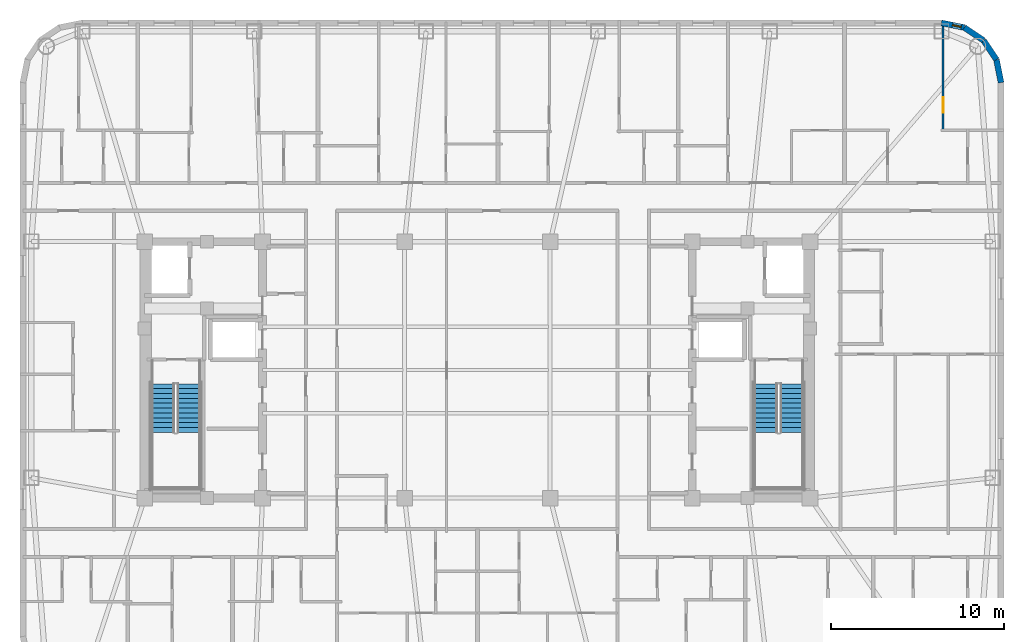
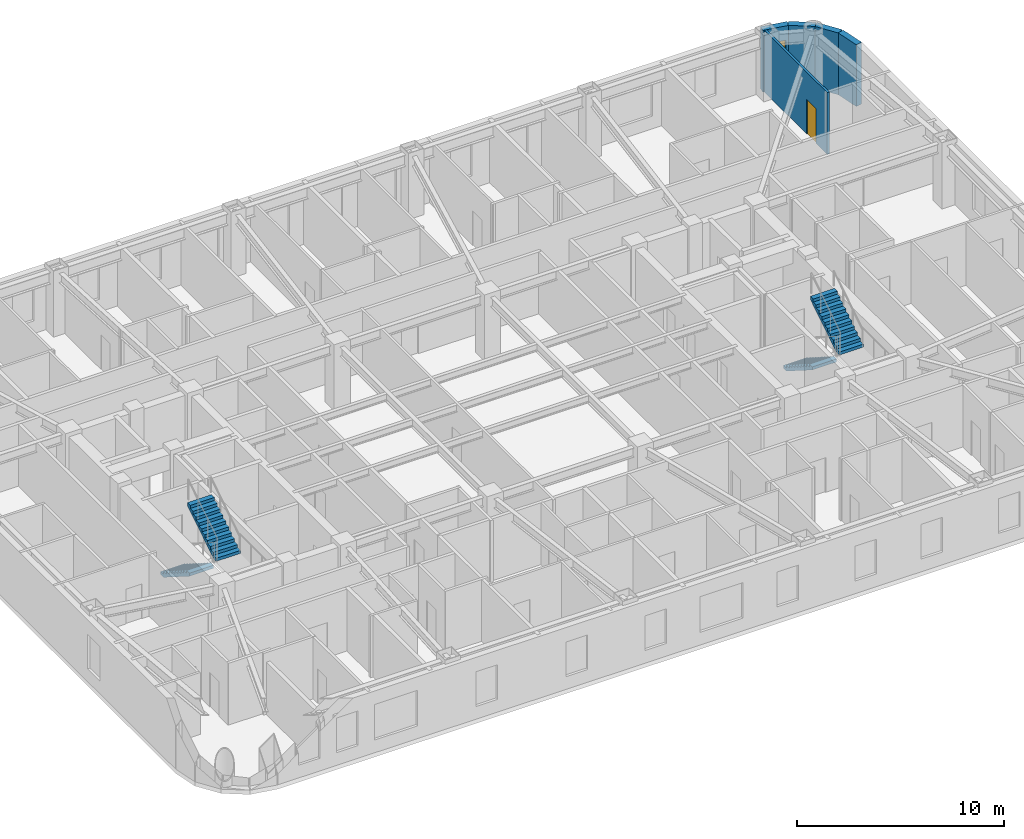
# One storey, part 9 of 11: 5 walls, 4 stair flights, 1 door, 1 window, 2 openings, 2 elements without a shape of their own.
"""IFC4 building model written with IfcOpenShell, lengths in metres."""

from ifc_helpers import new_model, si_unit, direction, frame, frame_2d, origin, place, context, subcontext, project, spatial, polyline, rectangle, outline, extrude, material, layer, layer_set, type_object, element, fill, aggregate, save


model = new_model("IFC4")

# Units and contexts
model_context = context("Model", 3, precision=1e-05, world=origin(), true_north=direction((0.0, 1.0)))
body_context = subcontext(model_context, "Body", "Model", "MODEL_VIEW")
ifc_project = project(units=[si_unit("LENGTHUNIT", "METRE"), si_unit("AREAUNIT", "SQUARE_METRE"), si_unit("VOLUMEUNIT", "CUBIC_METRE"), si_unit("PLANEANGLEUNIT", "RADIAN"), si_unit("MASSUNIT", "GRAM", prefix="KILO")], contexts=[model_context])

# Site, building, storey
site_placement = place(None, origin())
site = spatial("IfcSite", under=ifc_project, at=site_placement, CompositionType="ELEMENT")
building_placement = place(site_placement, origin())
building = spatial("IfcBuilding", under=site, at=building_placement, Name="Voryun Gate Residences", CompositionType="ELEMENT")
storey_placement = place(building_placement, frame((0.0, 0.0, 215.800048828125)))
storey = spatial("IfcBuildingStorey", under=building, at=storey_placement, Name="L53", CompositionType="ELEMENT", Elevation=215.800048828125)

# Wall, opening, window
ifc_material_1 = material(Name="Charcoal terracotta masonry", Category="masonry")
ifc_layer_1 = layer(ifc_material_1, 0.340087890625, Name="W_EXT_TERRACOTTA_340")
ifc_layer_set_1 = layer_set([ifc_layer_1], Name="Charcoal terracotta masonry")
wall_type_1 = type_object("IfcWallType", Name="W_EXT_TERRACOTTA_340", PredefinedType="ELEMENTEDWALL", material=ifc_layer_set_1)
wall_1_placement = place(storey_placement, frame((26.783203125, 20.030029296875, 0.0), z_axis=(0.0, 0.0, 1.0), x_axis=(0.980788153188, -0.195075878998, 0.0)))
wall_1 = element("IfcWall", 1, at=wall_1_placement, inside=storey, type_object=wall_type_1, Name="Exterior wall WEXT-L53-12", PredefinedType="ELEMENTEDWALL", context=body_context, shape_type="SweptSolid", body=[
    extrude(rectangle(XDim=1.354248046875, YDim=0.340087890625, at=frame_2d((0.67724609375, 0.0))), origin(), (0.0, 0.0, 1.0), 3.64990234375),
])
opening_1_placement = place(wall_1_placement, frame((0.656982421875, 0.0, 0.75)))
opening_1 = element("IfcOpeningElement", 2, at=opening_1_placement, cuts=wall_1, Name="Opening WN10", PredefinedType="OPENING", context=body_context, shape_type="SweptSolid", body=[
    extrude(rectangle(XDim=0.52001953125, YDim=2.050048828125, at=frame_2d((0.260009765625, 1.02490234375))), frame((0.0, 0.179931640625, 0.0), z_axis=(0.0, -1.0, 0.0), x_axis=(1.0, 0.0, 0.0)), (0.0, 0.0, 1.0), 0.360107421875),
])
ifc_material_2 = material(Name="Laminated low-E glass", Category="glass")
window_type = type_object("IfcWindowType", Name="WN_PAGODA_LANCET_520", PartitioningType="SINGLE_PANEL", PredefinedType="WINDOW", material=ifc_material_2)
window_placement = place(opening_1_placement, origin())
window = element("IfcWindow", 3, at=window_placement, inside=storey, type_object=window_type, Name="Window WN-L53-DWFIX-14", OverallHeight=2.050048828125, OverallWidth=0.52001953125, PartitioningType="SINGLE_PANEL", PredefinedType="WINDOW", context=body_context, shape_type="SweptSolid", body=[
    extrude(rectangle(XDim=0.52001953125, YDim=2.050048828125, at=frame_2d((0.260009765625, 1.02490234375))), frame((0.0, 0.030029296875, 0.0), z_axis=(0.0, -1.0, 0.0), x_axis=(1.0, 0.0, 0.0)), (0.0, 0.0, 1.0), 0.06005859375),
])
fill(opening_1, window)

# Walls
for number, where, z_axis, x_axis, name in (
    (4, (28.111328125, 19.765869140625, 0.0), (0.0, 0.0, 1.0), (0.831403586725, -0.555669034571, 0.0), "Exterior wall WEXT-L53-13"),
    (5, (29.222900390625, 19.02294921875, 0.0), (0.0, 0.0, 1.0), (0.555669034571, -0.831403586725, 0.0), "Exterior wall WEXT-L53-14"),
):
    element("IfcWall", number, at=place(storey_placement, frame(where, z_axis=z_axis, x_axis=x_axis)), inside=storey, type_object=wall_type_1, Name=name, PredefinedType="ELEMENTEDWALL", context=body_context, shape_type="SweptSolid", body=[
        extrude(rectangle(XDim=1.3369140625, YDim=0.340087890625, at=frame_2d((0.66845703125, 0.0))), origin(), (0.0, 0.0, 1.0), 3.64990234375),
    ])
wall_2_placement = place(storey_placement, frame((29.9658203125, 17.911376953125, 0.0), z_axis=(0.0, 0.0, 1.0), x_axis=(0.195075878998, -0.980788153188, 0.0)))
element("IfcWall", 6, at=wall_2_placement, inside=storey, type_object=wall_type_1, Name="Exterior wall WEXT-L53-15", PredefinedType="ELEMENTEDWALL", context=body_context, shape_type="SweptSolid", body=[
    extrude(rectangle(XDim=1.354248046875, YDim=0.340087890625, at=frame_2d((0.67724609375, 0.0))), origin(), (0.0, 0.0, 1.0), 3.64990234375),
])

# Wall, opening, door
ifc_material_3 = material(Name="Gypsum acoustic partition")
ifc_layer_2 = layer(ifc_material_3, 0.125, Name="W_UNIT_PART_125")
ifc_layer_set_2 = layer_set([ifc_layer_2], Name="Gypsum acoustic partition")
wall_type_2 = type_object("IfcWallType", Name="W_UNIT_PART_125", PredefinedType="PARTITIONING", material=ifc_layer_set_2)
wall_3_placement = place(storey_placement, frame((26.886962890625, 13.759033203125, 0.0), z_axis=(0.0, 0.0, 1.0), x_axis=(0.0, 1.0, 0.0)))
wall_3 = element("IfcWall", 7, at=wall_3_placement, inside=storey, type_object=wall_type_2, Name="Partition wall WP-L53-N6-OVR", PredefinedType="PARTITIONING", context=body_context, shape_type="SweptSolid", body=[
    extrude(rectangle(XDim=6.4033203125, YDim=0.125, at=frame_2d((3.20166015625, 0.0))), origin(), (0.0, 0.0, 1.0), 3.64990234375),
])
opening_2_placement = place(wall_3_placement, frame((1.0869140625, 0.0, 0.0)))
opening_2 = element("IfcOpeningElement", 8, at=opening_2_placement, cuts=wall_3, Name="Opening D-INT-2", PredefinedType="OPENING", context=body_context, shape_type="SweptSolid", body=[
    extrude(rectangle(XDim=0.89990234375, YDim=2.050048828125, at=frame_2d((0.449951171875, 1.02490234375))), frame((0.0, 0.072509765625, 0.0), z_axis=(0.0, -1.0, 0.0), x_axis=(1.0, 0.0, 0.0)), (0.0, 0.0, 1.0), 0.14501953125),
])
ifc_material_4 = material(Name="Architectural oak veneer")
door_type = type_object("IfcDoorType", Name="DR_INT_BATH_900", OperationType="NOTDEFINED", PredefinedType="DOOR", material=ifc_material_4)
door_placement = place(opening_2_placement, origin())
door = element("IfcDoor", 9, at=door_placement, inside=storey, type_object=door_type, Name="Door DR-L53-N6-DMB", OperationType="SINGLE_SWING_RIGHT", OverallHeight=2.050048828125, OverallWidth=0.89990234375, PredefinedType="DOOR", context=body_context, shape_type="SweptSolid", body=[
    extrude(rectangle(XDim=0.89990234375, YDim=2.050048828125, at=frame_2d((0.449951171875, 1.02490234375))), frame((0.0, 0.02490234375, 0.0), z_axis=(0.0, -1.0, 0.0), x_axis=(1.0, 0.0, 0.0)), (0.0, 0.0, 1.0), 0.050048828125),
])
fill(opening_2, door)

# Stair, stair flights
ifc_material_5 = material(Name="Concrete C40/50", Category="concrete")
stair_type = type_object("IfcStairType", Name="STR_CORE_DOGLEG_1350", PredefinedType="HALF_TURN_STAIR", material=ifc_material_5)
stair_1_placement = place(storey_placement, origin())
stair_1 = element("IfcStair", 10, at=stair_1_placement, inside=storey, type_object=stair_type, Name="L53 Special Escape Stair ST-W1", PredefinedType="HALF_TURN_STAIR")
ifc_material_6 = material(Name="Concrete C40/50", Category="concrete")
stair_flight_type = type_object("IfcStairFlightType", Name="FLT_CORE_1350", PredefinedType="STRAIGHT", material=ifc_material_6)
stair_flight_1_placement = place(storey_placement, frame((-18.14990234375, -0.800048828125, 0.0), z_axis=(0.0, 0.0, 1.0), x_axis=(0.0, -1.0, 0.0)))
stair_flight_1 = element("IfcStairFlight", 11, at=stair_flight_1_placement, type_object=stair_flight_type, Name="ST-W1 flight 1", NumberOfRisers=11, NumberOfTreads=10, PredefinedType="STRAIGHT", RiserHeight=0.177272727, TreadLength=0.28, context=body_context, shape_type="SweptSolid", body=[
    extrude(outline(polyline([(0.0, 0.0), (0.0, 0.17724609375), (0.280029296875, 0.17724609375), (0.280029296875, 0.3544921875), (0.56005859375, 0.3544921875), (0.56005859375, 0.53173828125), (0.840087890625, 0.53173828125), (0.840087890625, 0.708984375), (1.1201171875, 0.708984375), (1.1201171875, 0.886474609375), (1.39990234375, 0.886474609375), (1.39990234375, 1.063720703125), (1.679931640625, 1.063720703125), (1.679931640625, 1.240966796875), (1.9599609375, 1.240966796875), (1.9599609375, 1.418212890625), (2.239990234375, 1.418212890625), (2.239990234375, 1.595458984375), (2.52001953125, 1.595458984375), (2.52001953125, 1.772705078125), (2.800048828125, 1.772705078125), (2.800048828125, 1.949951171875), (2.800048828125, 1.59521484375), (0.2802734375, 0.0), (0.0, 0.0)])), frame((0.0, 0.675048828125, 0.0), z_axis=(0.0, -1.0, 0.0), x_axis=(1.0, 0.0, 0.0)), (0.0, 0.0, 1.0), 1.35009765625),
])
stair_flight_2_placement = place(storey_placement, frame((-16.64990234375, -3.60009765625, 1.949951171875), z_axis=(0.0, 0.0, 1.0), x_axis=(0.0, 1.0, 0.0)))
stair_flight_2 = element("IfcStairFlight", 12, at=stair_flight_2_placement, type_object=stair_flight_type, Name="ST-W1 flight 2", NumberOfRisers=11, NumberOfTreads=10, PredefinedType="STRAIGHT", RiserHeight=0.177272727, TreadLength=0.28, context=body_context, shape_type="SweptSolid", body=[
    extrude(outline(polyline([(0.0, 0.0), (0.0, 0.17724609375), (0.280029296875, 0.17724609375), (0.280029296875, 0.3544921875), (0.56005859375, 0.3544921875), (0.56005859375, 0.53173828125), (0.840087890625, 0.53173828125), (0.840087890625, 0.708984375), (1.1201171875, 0.708984375), (1.1201171875, 0.886474609375), (1.39990234375, 0.886474609375), (1.39990234375, 1.063720703125), (1.679931640625, 1.063720703125), (1.679931640625, 1.240966796875), (1.9599609375, 1.240966796875), (1.9599609375, 1.418212890625), (2.239990234375, 1.418212890625), (2.239990234375, 1.595458984375), (2.52001953125, 1.595458984375), (2.52001953125, 1.772705078125), (2.800048828125, 1.772705078125), (2.800048828125, 1.949951171875), (2.800048828125, 1.59521484375), (0.2802734375, 0.0), (0.0, 0.0)])), frame((0.0, 0.675048828125, 0.0), z_axis=(0.0, -1.0, 0.0), x_axis=(1.0, 0.0, 0.0)), (0.0, 0.0, 1.0), 1.35009765625),
])
aggregate(stair_1, [stair_flight_1, stair_flight_2])

stair_2_placement = place(storey_placement, origin())
stair_2 = element("IfcStair", 13, at=stair_2_placement, inside=storey, type_object=stair_type, Name="L53 Special Escape Stair ST-E1", PredefinedType="HALF_TURN_STAIR")
stair_flight_3_placement = place(storey_placement, frame((16.64990234375, -0.800048828125, 0.0), z_axis=(0.0, 0.0, 1.0), x_axis=(0.0, -1.0, 0.0)))
stair_flight_3 = element("IfcStairFlight", 14, at=stair_flight_3_placement, type_object=stair_flight_type, Name="ST-E1 flight 1", NumberOfRisers=11, NumberOfTreads=10, PredefinedType="STRAIGHT", RiserHeight=0.177272727, TreadLength=0.28, context=body_context, shape_type="SweptSolid", body=[
    extrude(outline(polyline([(0.0, 0.0), (0.0, 0.17724609375), (0.280029296875, 0.17724609375), (0.280029296875, 0.3544921875), (0.56005859375, 0.3544921875), (0.56005859375, 0.53173828125), (0.840087890625, 0.53173828125), (0.840087890625, 0.708984375), (1.1201171875, 0.708984375), (1.1201171875, 0.886474609375), (1.39990234375, 0.886474609375), (1.39990234375, 1.063720703125), (1.679931640625, 1.063720703125), (1.679931640625, 1.240966796875), (1.9599609375, 1.240966796875), (1.9599609375, 1.418212890625), (2.239990234375, 1.418212890625), (2.239990234375, 1.595458984375), (2.52001953125, 1.595458984375), (2.52001953125, 1.772705078125), (2.800048828125, 1.772705078125), (2.800048828125, 1.949951171875), (2.800048828125, 1.59521484375), (0.2802734375, 0.0), (0.0, 0.0)])), frame((0.0, 0.675048828125, 0.0), z_axis=(0.0, -1.0, 0.0), x_axis=(1.0, 0.0, 0.0)), (0.0, 0.0, 1.0), 1.35009765625),
])
stair_flight_4_placement = place(storey_placement, frame((18.14990234375, -3.60009765625, 1.949951171875), z_axis=(0.0, 0.0, 1.0), x_axis=(0.0, 1.0, 0.0)))
stair_flight_4 = element("IfcStairFlight", 15, at=stair_flight_4_placement, type_object=stair_flight_type, Name="ST-E1 flight 2", NumberOfRisers=11, NumberOfTreads=10, PredefinedType="STRAIGHT", RiserHeight=0.177272727, TreadLength=0.28, context=body_context, shape_type="SweptSolid", body=[
    extrude(outline(polyline([(0.0, 0.0), (0.0, 0.17724609375), (0.280029296875, 0.17724609375), (0.280029296875, 0.3544921875), (0.56005859375, 0.3544921875), (0.56005859375, 0.53173828125), (0.840087890625, 0.53173828125), (0.840087890625, 0.708984375), (1.1201171875, 0.708984375), (1.1201171875, 0.886474609375), (1.39990234375, 0.886474609375), (1.39990234375, 1.063720703125), (1.679931640625, 1.063720703125), (1.679931640625, 1.240966796875), (1.9599609375, 1.240966796875), (1.9599609375, 1.418212890625), (2.239990234375, 1.418212890625), (2.239990234375, 1.595458984375), (2.52001953125, 1.595458984375), (2.52001953125, 1.772705078125), (2.800048828125, 1.772705078125), (2.800048828125, 1.949951171875), (2.800048828125, 1.59521484375), (0.2802734375, 0.0), (0.0, 0.0)])), frame((0.0, 0.675048828125, 0.0), z_axis=(0.0, -1.0, 0.0), x_axis=(1.0, 0.0, 0.0)), (0.0, 0.0, 1.0), 1.35009765625),
])
aggregate(stair_2, [stair_flight_3, stair_flight_4])

save(model, "model.ifc")
